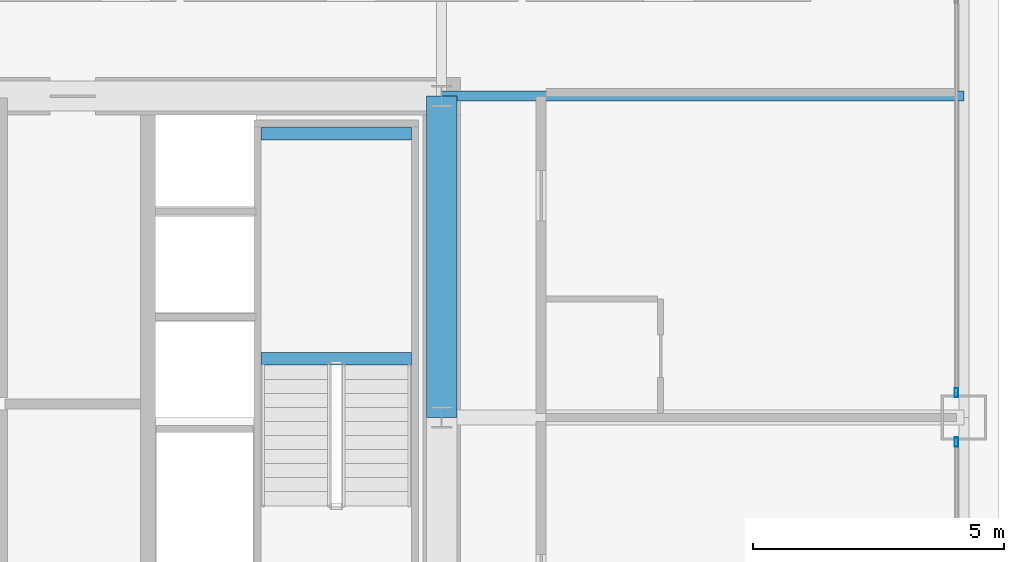
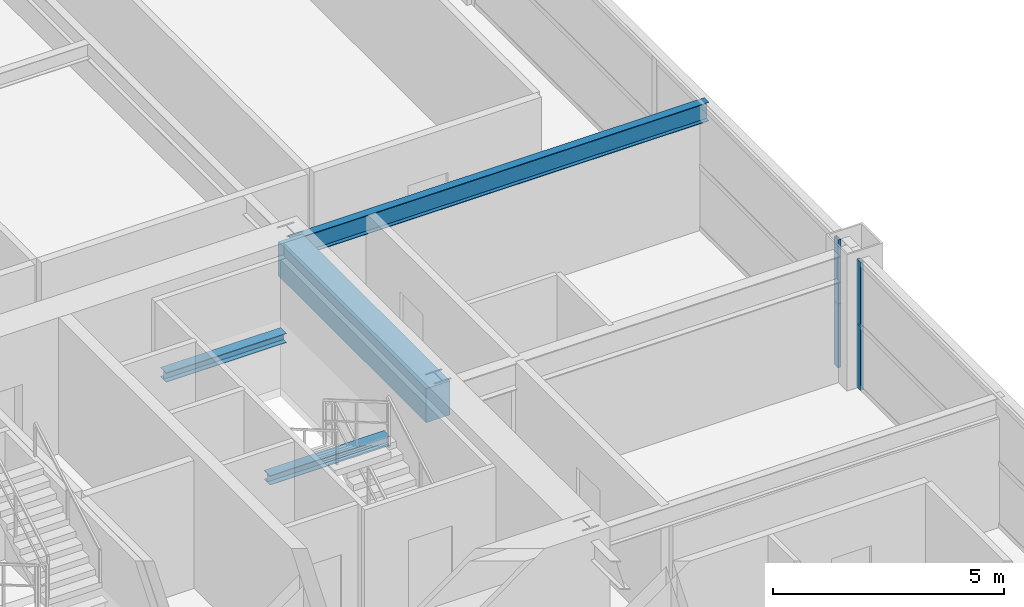
# One storey, part 19 of 38: 4 beams, 4 members, 2 elements without a shape of their own.
"""IFC4 building model written with IfcOpenShell, lengths in metres."""

from ifc_helpers import new_model, si_unit, direction, frame, origin, origin_2d, place, context, subcontext, project, spatial, rectangle, hollow_rectangle, i_section, extrude, source, transform, mapped, material, layer, layer_set, material_profile, profile_set, type_object, element, aggregate, save


model = new_model("IFC4")

# Units and contexts
model_context = context("Model", 3, precision=1e-05, world=origin(), true_north=direction((0.0, 1.0)))
body_context = subcontext(model_context, "Body", "Model", "MODEL_VIEW")
ifc_project = project(units=[si_unit("LENGTHUNIT", "METRE"), si_unit("AREAUNIT", "SQUARE_METRE"), si_unit("VOLUMEUNIT", "CUBIC_METRE"), si_unit("PLANEANGLEUNIT", "RADIAN"), si_unit("MASSUNIT", "GRAM", prefix="KILO"), si_unit("THERMODYNAMICTEMPERATUREUNIT", "KELVIN"), si_unit("POWERUNIT", "WATT")], contexts=[model_context])

# Site, building, storey
site_placement = place(None, origin())
site = spatial("IfcSite", under=ifc_project, at=site_placement, CompositionType="ELEMENT")
building_placement = place(site_placement, origin())
building = spatial("IfcBuilding", under=site, at=building_placement, Name="Yuzanri Waterfront Tower", CompositionType="ELEMENT")
storey_placement = place(building_placement, frame((0.0, 0.0, 97.39990234375)))
storey = spatial("IfcBuildingStorey", under=building, at=storey_placement, Name="L25", CompositionType="ELEMENT", Elevation=97.39990234375)

# Beams
ifc_material_1 = material(Name="Concrete C60", Category="concrete")
ifc_material_profile_1 = material_profile(ifc_material_1, rectangle(XDim=0.60009765625, YDim=0.89990234375, at=origin_2d()), Name="RC 600x900")
ifc_profile_set_1 = profile_set([ifc_material_profile_1], Name="Concrete C60")
beam_type_1 = type_object("IfcBeamType", Name="Core Coupling Lintel Concrete C60 600x900", PredefinedType="LINTEL", material=ifc_profile_set_1)
shared_shape_1 = source(origin(), body_context, "Body", "SweptSolid", [
    extrude(rectangle(XDim=0.60009765625, YDim=0.89990234375, at=origin_2d()), origin(), (0.0, 0.0, 1.0), 6.39990234375),
])
beam_1_placement = place(storey_placement, frame((50.199951171875, 25.800048828125, 2.93017578125), z_axis=(0.0, 1.0, 0.0), x_axis=(-1.0, 0.0, 0.0)))
element("IfcBeam", 1, at=beam_1_placement, inside=storey, type_object=beam_type_1, Name="L25 Core Tie Beam CE2", PredefinedType="LINTEL", context=body_context, shape_type="MappedRepresentation", body=[
    mapped(shared_shape_1, transform((0.0, 0.0, 0.0), scale=1.0)),
])
ifc_material_2 = material(Name="Steel Q355B", Category="steel")
ifc_material_profile_2 = material_profile(ifc_material_2, i_section(OverallWidth=0.199951171875, OverallDepth=0.5, WebThickness=0.010009765625, FlangeThickness=0.01611328125, at=origin_2d()), Name="HN 500x200x10x16")
ifc_profile_set_2 = profile_set([ifc_material_profile_2], Name="Steel Q355B")
beam_type_2 = type_object("IfcBeamType", Name="Secondary Floor Beam Q355B HN 500x200", PredefinedType="BEAM", material=ifc_profile_set_2)
shared_shape_2 = source(origin(), body_context, "Body", "SweptSolid", [
    extrude(i_section(OverallWidth=0.199951171875, OverallDepth=0.5, WebThickness=0.010009765625, FlangeThickness=0.01611328125, at=origin_2d()), origin(), (0.0, 0.0, 1.0), 10.400146484375),
])
beam_2_placement = place(storey_placement, frame((50.199951171875, 32.199951171875, 3.130126953125), z_axis=(1.0, 0.0, 0.0), x_axis=(0.0, 1.0, 0.0)))
element("IfcBeam", 2, at=beam_2_placement, inside=storey, type_object=beam_type_2, Name="L25 East-North Core Line Beam", PredefinedType="BEAM", context=body_context, shape_type="MappedRepresentation", body=[
    mapped(shared_shape_2, transform((0.0, 0.0, 0.0), scale=1.0)),
])

# Curtain wall, members
ifc_material_3 = material(Name="Anodized Architectural Bronze", Category="metal")
ifc_layer = layer(ifc_material_3, 0.159912109375)
ifc_layer_set = layer_set([ifc_layer], Name="Anodized Architectural Bronze")
curtain_wall_type = type_object("IfcCurtainWallType", Name="Anodized Bronze Hotel Upper-Tier Solar-Control Unitized Curtain Wall 7800", PredefinedType="NOTDEFINED", material=ifc_layer_set)
curtain_wall_1_placement = place(storey_placement, origin())
curtain_wall_1 = element("IfcCurtainWall", 3, at=curtain_wall_1_placement, inside=storey, type_object=curtain_wall_type, Name="L25 Curtain Wall CW-L25-EL", PredefinedType="NOTDEFINED")
ifc_material_4 = material(Name="Anodized Architectural Bronze", Category="metal")
ifc_material_profile_3 = material_profile(ifc_material_4, hollow_rectangle(XDim=0.070068359375, YDim=0.179931640625, WallThickness=0.00390625, at=origin_2d()), Name="CWM 70x180")
ifc_profile_set_3 = profile_set([ifc_material_profile_3], Name="Anodized Architectural Bronze")
member_type = type_object("IfcMemberType", Name="Anodized Bronze Standard Curtain-Wall Mullion 70x180", PredefinedType="MULLION", material=ifc_profile_set_3)
shared_shape_3 = source(origin(), body_context, "Body", "SweptSolid", [
    extrude(hollow_rectangle(XDim=0.070068359375, YDim=0.179931640625, WallThickness=0.00390625, at=origin_2d()), origin(), (0.0, 0.0, 1.0), 1.68798828125),
])
member_1_placement = place(storey_placement, frame((60.449951171875, 25.31005859375, 0.0), z_axis=(0.0, 0.0, 1.0), x_axis=(1.0, 0.0, 0.0)))
member_1 = element("IfcMember", 4, at=member_1_placement, type_object=member_type, Name="CW-L25-EL Lower Mullion 02", PredefinedType="MULLION", context=body_context, shape_type="MappedRepresentation", body=[
    mapped(shared_shape_3, transform((0.0, 0.0, 0.0), scale=1.0)),
])
member_2_placement = place(storey_placement, frame((60.449951171875, 25.31005859375, 1.692138671875), z_axis=(0.0, 0.0, 1.0), x_axis=(1.0, 0.0, 0.0)))
member_2 = element("IfcMember", 5, at=member_2_placement, type_object=member_type, Name="CW-L25-EL Upper Mullion 02", PredefinedType="MULLION", context=body_context, shape_type="MappedRepresentation", body=[
    mapped(shared_shape_3, transform((0.0, 0.0, 0.0), scale=1.0)),
])
aggregate(curtain_wall_1, [member_1, member_2])

curtain_wall_2_placement = place(storey_placement, origin())
curtain_wall_2 = element("IfcCurtainWall", 6, at=curtain_wall_2_placement, inside=storey, type_object=curtain_wall_type, Name="L25 Curtain Wall CW-L25-ER", PredefinedType="NOTDEFINED")
member_3_placement = place(storey_placement, frame((60.449951171875, 26.2900390625, 0.0), z_axis=(0.0, 0.0, 1.0), x_axis=(1.0, 0.0, 0.0)))
member_3 = element("IfcMember", 7, at=member_3_placement, type_object=member_type, Name="CW-L25-ER Lower Mullion 00", PredefinedType="MULLION", context=body_context, shape_type="MappedRepresentation", body=[
    mapped(shared_shape_3, transform((0.0, 0.0, 0.0), scale=1.0)),
])
member_4_placement = place(storey_placement, frame((60.449951171875, 26.2900390625, 1.692138671875), z_axis=(0.0, 0.0, 1.0), x_axis=(1.0, 0.0, 0.0)))
member_4 = element("IfcMember", 8, at=member_4_placement, type_object=member_type, Name="CW-L25-ER Upper Mullion 00", PredefinedType="MULLION", context=body_context, shape_type="MappedRepresentation", body=[
    mapped(shared_shape_3, transform((0.0, 0.0, 0.0), scale=1.0)),
])
aggregate(curtain_wall_2, [member_3, member_4])

# Beams
ifc_material_5 = material(Name="Steel Q355B", Category="steel")
ifc_material_profile_4 = material_profile(ifc_material_5, i_section(OverallWidth=0.25, OverallDepth=0.25, WebThickness=0.009033203125, FlangeThickness=0.013916015625, at=origin_2d()), Name="HW 250x250x9x14")
ifc_profile_set_4 = profile_set([ifc_material_profile_4], Name="Steel Q355B")
beam_type_3 = type_object("IfcBeamType", Name="Stair Landing Support Beam Q355B HW 250x250", PredefinedType="BEAM", material=ifc_profile_set_4)
shared_shape_4 = source(origin(), body_context, "Body", "SweptSolid", [
    extrude(i_section(OverallWidth=0.25, OverallDepth=0.25, WebThickness=0.009033203125, FlangeThickness=0.013916015625, at=origin_2d()), origin(), (0.0, 0.0, 1.0), 3.0),
])
for number, where, z_axis, x_axis, name in (
    (9, (46.60009765625, 26.969970703125, 1.47509765625), (1.0, 0.0, 0.0), (0.0, 1.0, 0.0), "L25 Stair Landing Support Beam ST-02-L25-L1-1"),
    (10, (46.60009765625, 31.449951171875, 1.47509765625), (1.0, 0.0, 0.0), (0.0, 1.0, 0.0), "L25 Stair Landing Support Beam ST-02-L25-L1-2"),
):
    element("IfcBeam", number, at=place(storey_placement, frame(where, z_axis=z_axis, x_axis=x_axis)), inside=storey, type_object=beam_type_3, Name=name, PredefinedType="BEAM", context=body_context, shape_type="MappedRepresentation", body=[
        mapped(shared_shape_4, transform((0.0, 0.0, 0.0), scale=1.0)),
    ])

save(model, "model.ifc")
